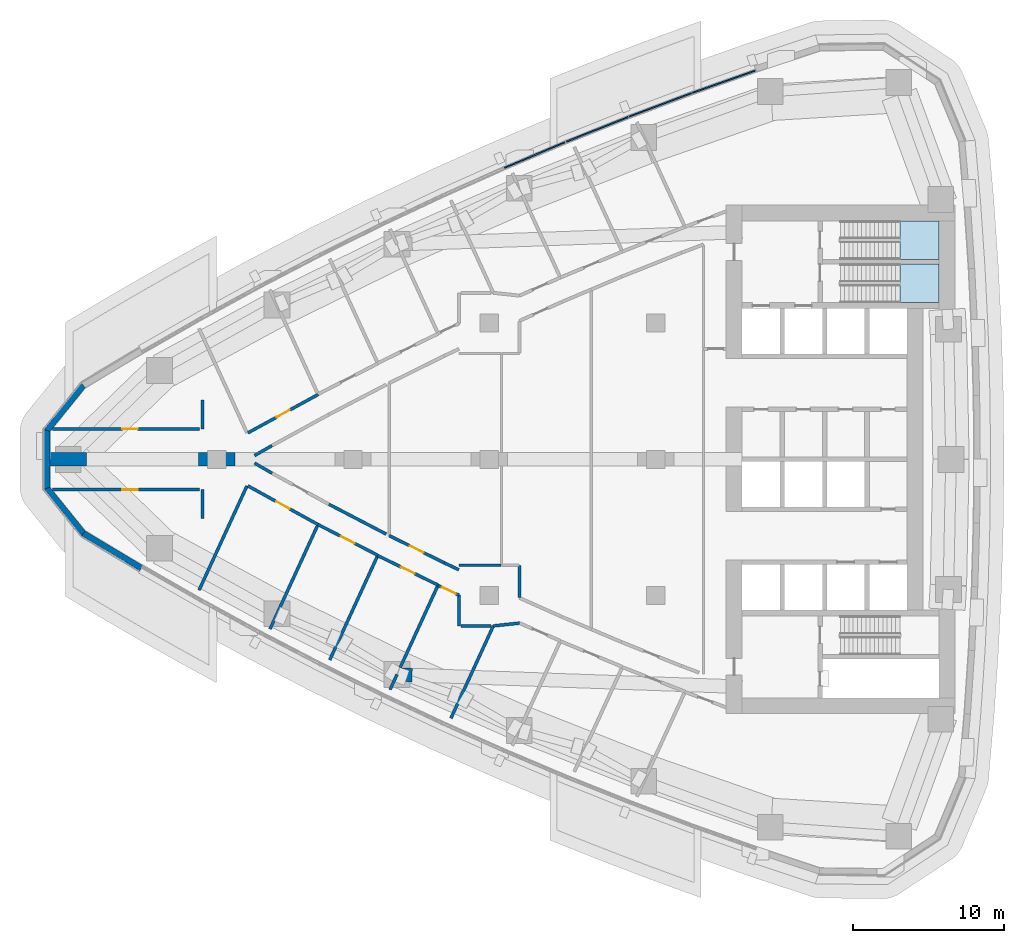
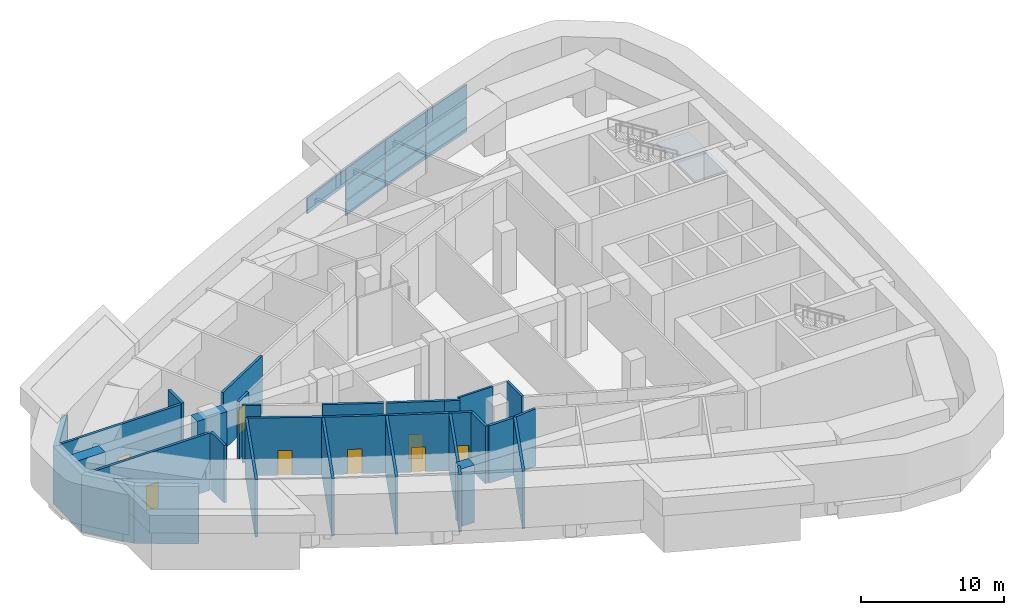
# One storey, part 10 of 19: 32 walls, 10 plates, 8 doors, 2 slabs, 8 openings, 4 elements without a shape of their own.
"""IFC4 building model written with IfcOpenShell, lengths in metres."""

from ifc_helpers import new_model, si_unit, direction, frame, frame_2d, origin, origin_2d, place, context, subcontext, project, spatial, polyline, rectangle, outline, extrude, material, layer, layer_set, type_object, element, fill, aggregate, save


model = new_model("IFC4")

# Units and contexts
model_context = context("Model", 3, precision=1e-05, world=origin(), true_north=direction((0.0, 1.0)))
body_context = subcontext(model_context, "Body", "Model", "MODEL_VIEW")
ifc_project = project(units=[si_unit("LENGTHUNIT", "METRE"), si_unit("AREAUNIT", "SQUARE_METRE"), si_unit("VOLUMEUNIT", "CUBIC_METRE"), si_unit("PLANEANGLEUNIT", "RADIAN"), si_unit("MASSUNIT", "GRAM", prefix="KILO")], contexts=[model_context])

# Site, building, storey
site_placement = place(None, origin())
site = spatial("IfcSite", under=ifc_project, at=site_placement, CompositionType="ELEMENT")
building_placement = place(site_placement, origin())
building = spatial("IfcBuilding", under=site, at=building_placement, Name="Ostrand Prow Hotel Tower", CompositionType="ELEMENT")
storey_placement = place(building_placement, frame((0.0, 0.0, 120.39990234375)))
storey = spatial("IfcBuildingStorey", under=building, at=storey_placement, Name="L29", CompositionType="ELEMENT", Elevation=120.39990234375)

# Curtain wall, plates
ifc_material_1 = material(Name="Insulated glass in bronze anodised frame", Category="glass")
ifc_layer_1 = layer(ifc_material_1, 0.199951171875)
ifc_layer_set_1 = layer_set([ifc_layer_1], Name="Insulated glass in bronze anodised frame")
curtain_wall_type = type_object("IfcCurtainWallType", Name="Plant storey louvre wall", PredefinedType="NOTDEFINED", material=ifc_layer_set_1)
curtain_wall_1_placement = place(storey_placement, origin())
curtain_wall_1 = element("IfcCurtainWall", 1, at=curtain_wall_1_placement, inside=storey, type_object=curtain_wall_type, Name="CW7 run CWN1", PredefinedType="NOTDEFINED")
ifc_material_2 = material(Name="Bronze anodised aluminium louvre", Category="aluminium")
ifc_layer_2 = layer(ifc_material_2, 0.10009765625)
ifc_layer_set_2 = layer_set([ifc_layer_2], Name="Bronze anodised aluminium louvre")
plate_type = type_object("IfcPlateType", Name="Bronze louvre panel 100 mm", PredefinedType="CURTAIN_PANEL", material=ifc_layer_set_2)
plate_1_placement = place(storey_placement, frame((49.49609375, 24.947509765625, 0.89990234375), z_axis=(0.0, 0.0, 1.0), x_axis=(-0.942751551748, -0.333495894542, 0.0)))
plate_1 = element("IfcPlate", 2, at=plate_1_placement, type_object=plate_type, Name="CW7 PN-V panel 1.1", PredefinedType="CURTAIN_PANEL", context=body_context, shape_type="SweptSolid", body=[
    extrude(rectangle(XDim=4.406005859375, YDim=0.10009765625, at=origin_2d()), origin(), (0.0, 0.0, 1.0), 1.239990234375),
])
plate_2_placement = place(storey_placement, frame((49.49609375, 24.947509765625, 2.26025390625), z_axis=(0.0, 0.0, 1.0), x_axis=(-0.942751551748, -0.333495894542, 0.0)))
plate_2 = element("IfcPlate", 3, at=plate_2_placement, type_object=plate_type, Name="CW7 PN-V panel 1.2", PredefinedType="CURTAIN_PANEL", context=body_context, shape_type="SweptSolid", body=[
    extrude(rectangle(XDim=4.406005859375, YDim=0.10009765625, at=origin_2d()), origin(), (0.0, 0.0, 1.0), 1.179931640625),
])
plate_3_placement = place(storey_placement, frame((49.49609375, 24.947509765625, 3.56005859375), z_axis=(0.0, 0.0, 1.0), x_axis=(-0.942751551748, -0.333495894542, 0.0)))
plate_3 = element("IfcPlate", 4, at=plate_3_placement, type_object=plate_type, Name="CW7 PN-V panel 1.3", PredefinedType="CURTAIN_PANEL", context=body_context, shape_type="SweptSolid", body=[
    extrude(rectangle(XDim=4.406005859375, YDim=0.10009765625, at=origin_2d()), origin(), (0.0, 0.0, 1.0), 1.340087890625),
])
plate_4_placement = place(storey_placement, frame((45.301025390625, 23.416015625, 0.89990234375), z_axis=(0.0, 0.0, 1.0), x_axis=(-0.935883792387, -0.35230885193, 0.0)))
plate_4 = element("IfcPlate", 5, at=plate_4_placement, type_object=plate_type, Name="CW7 PN-V panel 2.1", PredefinedType="CURTAIN_PANEL", context=body_context, shape_type="SweptSolid", body=[
    extrude(rectangle(XDim=4.406005859375, YDim=0.10009765625, at=origin_2d()), origin(), (0.0, 0.0, 1.0), 1.239990234375),
])
plate_5_placement = place(storey_placement, frame((45.301025390625, 23.416015625, 2.26025390625), z_axis=(0.0, 0.0, 1.0), x_axis=(-0.935883792387, -0.35230885193, 0.0)))
plate_5 = element("IfcPlate", 6, at=plate_5_placement, type_object=plate_type, Name="CW7 PN-V panel 2.2", PredefinedType="CURTAIN_PANEL", context=body_context, shape_type="SweptSolid", body=[
    extrude(rectangle(XDim=4.406005859375, YDim=0.10009765625, at=origin_2d()), origin(), (0.0, 0.0, 1.0), 1.179931640625),
])
plate_6_placement = place(storey_placement, frame((45.301025390625, 23.416015625, 3.56005859375), z_axis=(0.0, 0.0, 1.0), x_axis=(-0.935883792387, -0.35230885193, 0.0)))
plate_6 = element("IfcPlate", 7, at=plate_6_placement, type_object=plate_type, Name="CW7 PN-V panel 2.3", PredefinedType="CURTAIN_PANEL", context=body_context, shape_type="SweptSolid", body=[
    extrude(rectangle(XDim=4.406005859375, YDim=0.10009765625, at=origin_2d()), origin(), (0.0, 0.0, 1.0), 1.340087890625),
])
aggregate(curtain_wall_1, [plate_1, plate_2, plate_3, plate_4, plate_5, plate_6])

curtain_wall_2_placement = place(storey_placement, origin())
curtain_wall_2 = element("IfcCurtainWall", 8, at=curtain_wall_2_placement, inside=storey, type_object=curtain_wall_type, Name="CW7 run CWN2", PredefinedType="NOTDEFINED")
plate_7_placement = place(storey_placement, frame((41.137451171875, 21.801025390625, 0.89990234375), z_axis=(0.0, 0.0, 1.0), x_axis=(-0.928640008649, -0.370982121315, 0.0)))
plate_7 = element("IfcPlate", 9, at=plate_7_placement, type_object=plate_type, Name="CW7 PN-V panel 1.1", PredefinedType="CURTAIN_PANEL", context=body_context, shape_type="SweptSolid", body=[
    extrude(rectangle(XDim=4.406005859375, YDim=0.10009765625, at=origin_2d()), origin(), (0.0, 0.0, 1.0), 1.239990234375),
])
plate_8_placement = place(storey_placement, frame((41.137451171875, 21.801025390625, 2.26025390625), z_axis=(0.0, 0.0, 1.0), x_axis=(-0.928640008649, -0.370982121315, 0.0)))
plate_8 = element("IfcPlate", 10, at=plate_8_placement, type_object=plate_type, Name="CW7 PN-V panel 1.2", PredefinedType="CURTAIN_PANEL", context=body_context, shape_type="SweptSolid", body=[
    extrude(rectangle(XDim=4.406005859375, YDim=0.10009765625, at=origin_2d()), origin(), (0.0, 0.0, 1.0), 1.179931640625),
])
plate_9_placement = place(storey_placement, frame((41.137451171875, 21.801025390625, 3.56005859375), z_axis=(0.0, 0.0, 1.0), x_axis=(-0.928640008649, -0.370982121315, 0.0)))
plate_9 = element("IfcPlate", 11, at=plate_9_placement, type_object=plate_type, Name="CW7 PN-V panel 1.3", PredefinedType="CURTAIN_PANEL", context=body_context, shape_type="SweptSolid", body=[
    extrude(rectangle(XDim=4.406005859375, YDim=0.10009765625, at=origin_2d()), origin(), (0.0, 0.0, 1.0), 1.340087890625),
])
plate_10_placement = place(storey_placement, frame((37.007080078125, 20.102783203125, 3.56005859375), z_axis=(0.0, 0.0, 1.0), x_axis=(-0.921023688536, -0.389506566255, 0.0)))
plate_10 = element("IfcPlate", 12, at=plate_10_placement, type_object=plate_type, Name="CW7 PN-V panel 2.3", PredefinedType="CURTAIN_PANEL", context=body_context, shape_type="SweptSolid", body=[
    extrude(rectangle(XDim=4.406005859375, YDim=0.10009765625, at=origin_2d()), origin(), (0.0, 0.0, 1.0), 1.340087890625),
])
aggregate(curtain_wall_2, [plate_7, plate_8, plate_9, plate_10])

# Stair, slab
ifc_material_3 = material(Name="Concrete C40/50", Category="concrete")
stair_type = type_object("IfcStairType", Name="Exit stair 1200 upper zone", PredefinedType="HALF_TURN_STAIR", material=ifc_material_3)
stair_1_placement = place(storey_placement, origin())
stair_1 = element("IfcStair", 13, at=stair_1_placement, inside=storey, type_object=stair_type, Name="L29 ST1C", PredefinedType="HALF_TURN_STAIR")
ifc_material_4 = material(Name="Concrete C40/50", Category="concrete")
ifc_layer_3 = layer(ifc_material_4, 0.199951171875)
ifc_layer_set_3 = layer_set([ifc_layer_3], Name="Concrete C40/50")
slab_type = type_object("IfcSlabType", Name="Stair landing 200 concrete", PredefinedType="LANDING", material=ifc_layer_set_3)
slab_1_placement = place(storey_placement, frame((0.0, 0.0, 2.400146484375)))
slab_1 = element("IfcSlab", 14, at=slab_1_placement, type_object=slab_type, Name="ST1C landing 1", PredefinedType="LANDING", context=body_context, shape_type="SweptSolid", body=[
    extrude(outline(polyline([(61.1201171875, 10.35009765625), (63.719970703125, 10.35009765625), (63.719970703125, 12.89990234375), (61.1201171875, 12.89990234375), (61.1201171875, 10.35009765625)])), origin(), (0.0, 0.0, 1.0), 0.199951171875),
])
aggregate(stair_1, [slab_1])

stair_2_placement = place(storey_placement, origin())
stair_2 = element("IfcStair", 15, at=stair_2_placement, inside=storey, type_object=stair_type, Name="L29 ST3C", PredefinedType="HALF_TURN_STAIR")
slab_2_placement = place(storey_placement, frame((0.0, 0.0, 2.400146484375)))
slab_2 = element("IfcSlab", 16, at=slab_2_placement, type_object=slab_type, Name="ST3C landing 1", PredefinedType="LANDING", context=body_context, shape_type="SweptSolid", body=[
    extrude(outline(polyline([(61.1201171875, 13.199951171875), (63.719970703125, 13.199951171875), (63.719970703125, 15.75), (61.1201171875, 15.75), (61.1201171875, 13.199951171875)])), origin(), (0.0, 0.0, 1.0), 0.199951171875),
])
aggregate(stair_2, [slab_2])

# Walls
ifc_material_5 = material(Name="Concrete C80/95", Category="concrete")
ifc_layer_4 = layer(ifc_material_5, 0.89990234375)
ifc_layer_set_4 = layer_set([ifc_layer_4], Name="Concrete C80/95")
wall_type_1 = type_object("IfcWallType", Name="Outrigger wall 900 C80/95", PredefinedType="SHEAR", material=ifc_layer_set_4)
wall_1_placement = place(storey_placement, frame((4.9931640625, 0.0, 0.0), z_axis=(0.0, 0.0, 1.0), x_axis=(1.0, 0.0, 0.0)))
element("IfcWall", 17, at=wall_1_placement, inside=storey, type_object=wall_type_1, Name="Outrigger wall A1", PredefinedType="SHEAR", context=body_context, shape_type="SweptSolid", body=[
    extrude(rectangle(XDim=2.400146484375, YDim=0.89990234375, at=frame_2d((1.2001953125, 0.0))), origin(), (0.0, 0.0, 1.0), 4.900146484375),
])
wall_2_placement = place(storey_placement, frame((14.800048828125, 0.0, 0.0), z_axis=(0.0, 0.0, 1.0), x_axis=(1.0, 0.0, 0.0)))
element("IfcWall", 18, at=wall_2_placement, inside=storey, type_object=wall_type_1, Name="Outrigger wall A2", PredefinedType="SHEAR", context=body_context, shape_type="SweptSolid", body=[
    extrude(rectangle(XDim=2.39990234375, YDim=0.89990234375, at=frame_2d((1.199951171875, 0.0))), origin(), (0.0, 0.0, 1.0), 4.900146484375),
])
wall_3_placement = place(storey_placement, frame((28.906494140625, -14.247802734375, 0.0), z_axis=(0.0, 0.0, 1.0), x_axis=(-0.999364718751, 0.035639288944, 0.0)))
element("IfcWall", 19, at=wall_3_placement, inside=storey, type_object=wall_type_1, Name="Outrigger wall DS2", PredefinedType="SHEAR", context=body_context, shape_type="SweptSolid", body=[
    extrude(rectangle(XDim=1.000244140625, YDim=0.89990234375, at=frame_2d((0.5, 0.0))), origin(), (0.0, 0.0, 1.0), 4.900146484375),
])
ifc_material_6 = material(Name="Plasterboard partition")
ifc_layer_5 = layer(ifc_material_6, 0.14990234375)
ifc_layer_set_5 = layer_set([ifc_layer_5], Name="Plasterboard partition")
wall_type_2 = type_object("IfcWallType", Name="Partition 150 room partition", PredefinedType="PARTITIONING", material=ifc_layer_set_5)
wall_4_placement = place(storey_placement, frame((34.767578125, -6.9951171875, 0.0), z_axis=(0.0, 0.0, 1.0), x_axis=(-1.0, 0.0, 0.0)))
element("IfcWall", 20, at=wall_4_placement, inside=storey, type_object=wall_type_2, Name="ROOM PARTITION", PredefinedType="PARTITIONING", context=body_context, shape_type="SweptSolid", body=[
    extrude(rectangle(XDim=2.76806640625, YDim=0.14990234375, at=frame_2d((1.384033203125, 0.0))), origin(), (0.0, 0.0, 1.0), 4.900146484375),
])

# Wall, opening, door
ifc_material_7 = material(Name="Plasterboard partition")
ifc_layer_6 = layer(ifc_material_7, 0.199951171875)
ifc_layer_set_6 = layer_set([ifc_layer_6], Name="Plasterboard partition")
wall_type_3 = type_object("IfcWallType", Name="Partition 200 corridor wall", PredefinedType="PARTITIONING", material=ifc_layer_set_6)
wall_5_placement = place(storey_placement, frame((5.144775390625, 2.0, 0.0), z_axis=(0.0, 0.0, 1.0), x_axis=(1.0, 0.0, 0.0)))
wall_5 = element("IfcWall", 21, at=wall_5_placement, inside=storey, type_object=wall_type_3, Name="CORRIDOR WALL", PredefinedType="PARTITIONING", context=body_context, shape_type="SweptSolid", body=[
    extrude(rectangle(XDim=9.708984375, YDim=0.199951171875, at=frame_2d((4.8544921875, 0.0))), origin(), (0.0, 0.0, 1.0), 4.900146484375),
])
opening_1_placement = place(wall_5_placement, frame((4.624755859375, 0.0, 0.0)))
opening_1 = element("IfcOpeningElement", 22, at=opening_1_placement, cuts=wall_5, Name="Opening D1", PredefinedType="OPENING", context=body_context, shape_type="SweptSolid", body=[
    extrude(rectangle(XDim=1.0, YDim=2.10009765625, at=frame_2d((0.5, 1.050048828125))), frame((0.0, 0.10986328125, 0.0), z_axis=(0.0, -1.0, 0.0), x_axis=(1.0, 0.0, 0.0)), (0.0, 0.0, 1.0), 0.219970703125),
])
ifc_material_8 = material(Name="Timber door leaf", Category="wood")
door_type_1 = type_object("IfcDoorType", Name="Guest room door 1000", OperationType="SINGLE_SWING_LEFT", PredefinedType="DOOR", material=ifc_material_8)
door_1_placement = place(opening_1_placement, origin())
door_1 = element("IfcDoor", 23, at=door_1_placement, inside=storey, type_object=door_type_1, Name="DOOR", OperationType="SINGLE_SWING_LEFT", OverallHeight=2.10009765625, OverallWidth=1.0, PredefinedType="DOOR", context=body_context, shape_type="SweptSolid", body=[
    extrude(rectangle(XDim=1.0, YDim=2.10009765625, at=frame_2d((0.5, 1.050048828125))), frame((0.0, 0.02490234375, 0.0), z_axis=(0.0, -1.0, 0.0), x_axis=(1.0, 0.0, 0.0)), (0.0, 0.0, 1.0), 0.050048828125),
])
fill(opening_1, door_1)

wall_6_placement = place(storey_placement, frame((5.144775390625, -2.0, 0.0), z_axis=(0.0, 0.0, 1.0), x_axis=(1.0, 0.0, 0.0)))
wall_6 = element("IfcWall", 24, at=wall_6_placement, inside=storey, type_object=wall_type_3, Name="CORRIDOR WALL", PredefinedType="PARTITIONING", context=body_context, shape_type="SweptSolid", body=[
    extrude(rectangle(XDim=9.708984375, YDim=0.199951171875, at=frame_2d((4.8544921875, 0.0))), origin(), (0.0, 0.0, 1.0), 4.900146484375),
])
opening_2_placement = place(wall_6_placement, frame((4.624755859375, 0.0, 0.0)))
opening_2 = element("IfcOpeningElement", 25, at=opening_2_placement, cuts=wall_6, Name="Opening D1R", PredefinedType="OPENING", context=body_context, shape_type="SweptSolid", body=[
    extrude(rectangle(XDim=1.0, YDim=2.10009765625, at=frame_2d((0.5, 1.050048828125))), frame((0.0, 0.10986328125, 0.0), z_axis=(0.0, -1.0, 0.0), x_axis=(1.0, 0.0, 0.0)), (0.0, 0.0, 1.0), 0.219970703125),
])
ifc_material_9 = material(Name="Timber door leaf", Category="wood")
door_type_2 = type_object("IfcDoorType", Name="Guest room door 1000 right", OperationType="SINGLE_SWING_RIGHT", PredefinedType="DOOR", material=ifc_material_9)
door_2_placement = place(opening_2_placement, origin())
door_2 = element("IfcDoor", 26, at=door_2_placement, inside=storey, type_object=door_type_2, Name="DOOR", OperationType="SINGLE_SWING_RIGHT", OverallHeight=2.10009765625, OverallWidth=1.0, PredefinedType="DOOR", context=body_context, shape_type="SweptSolid", body=[
    extrude(rectangle(XDim=1.0, YDim=2.10009765625, at=frame_2d((0.5, 1.050048828125))), frame((0.0, 0.02490234375, 0.0), z_axis=(0.0, -1.0, 0.0), x_axis=(1.0, 0.0, 0.0)), (0.0, 0.0, 1.0), 0.050048828125),
])
fill(opening_2, door_2)

wall_7_placement = place(storey_placement, frame((18.0615234375, 1.75, 0.0), z_axis=(0.0, 0.0, 1.0), x_axis=(0.877494486007, 0.479586725241, 0.0)))
wall_7 = element("IfcWall", 27, at=wall_7_placement, inside=storey, type_object=wall_type_3, Name="CORRIDOR WALL", PredefinedType="PARTITIONING", context=body_context, shape_type="SweptSolid", body=[
    extrude(rectangle(XDim=5.28466796875, YDim=0.199951171875, at=frame_2d((2.642333984375, 0.0))), origin(), (0.0, 0.0, 1.0), 4.900146484375),
])
opening_3_placement = place(wall_7_placement, frame((2.142333984375, 0.0, 0.0)))
opening_3 = element("IfcOpeningElement", 28, at=opening_3_placement, cuts=wall_7, Name="Opening D1", PredefinedType="OPENING", context=body_context, shape_type="SweptSolid", body=[
    extrude(rectangle(XDim=1.0, YDim=2.10009765625, at=frame_2d((0.5, 1.050048828125))), frame((0.0, 0.10986328125, 0.0), z_axis=(0.0, -1.0, 0.0), x_axis=(1.0, 0.0, 0.0)), (0.0, 0.0, 1.0), 0.219970703125),
])
door_3_placement = place(opening_3_placement, origin())
door_3 = element("IfcDoor", 29, at=door_3_placement, inside=storey, type_object=door_type_1, Name="DOOR", OperationType="SINGLE_SWING_LEFT", OverallHeight=2.10009765625, OverallWidth=1.0, PredefinedType="DOOR", context=body_context, shape_type="SweptSolid", body=[
    extrude(rectangle(XDim=1.0, YDim=2.10009765625, at=frame_2d((0.5, 1.050048828125))), frame((0.0, 0.02490234375, 0.0), z_axis=(0.0, -1.0, 0.0), x_axis=(1.0, 0.0, 0.0)), (0.0, 0.0, 1.0), 0.050048828125),
])
fill(opening_3, door_3)

wall_8_placement = place(storey_placement, frame((18.0615234375, -1.75, 0.0), z_axis=(0.0, 0.0, 1.0), x_axis=(0.875688810671, -0.482875871074, 0.0)))
wall_8 = element("IfcWall", 30, at=wall_8_placement, inside=storey, type_object=wall_type_3, Name="CORRIDOR WALL", PredefinedType="PARTITIONING", context=body_context, shape_type="SweptSolid", body=[
    extrude(rectangle(XDim=5.2861328125, YDim=0.199951171875, at=frame_2d((2.64306640625, 0.0))), origin(), (0.0, 0.0, 1.0), 4.900146484375),
])
opening_4_placement = place(wall_8_placement, frame((2.14306640625, 0.0, 0.0)))
opening_4 = element("IfcOpeningElement", 31, at=opening_4_placement, cuts=wall_8, Name="Opening D1", PredefinedType="OPENING", context=body_context, shape_type="SweptSolid", body=[
    extrude(rectangle(XDim=1.0, YDim=2.10009765625, at=frame_2d((0.5, 1.050048828125))), frame((0.0, 0.10986328125, 0.0), z_axis=(0.0, -1.0, 0.0), x_axis=(1.0, 0.0, 0.0)), (0.0, 0.0, 1.0), 0.219970703125),
])
door_4_placement = place(opening_4_placement, origin())
door_4 = element("IfcDoor", 32, at=door_4_placement, inside=storey, type_object=door_type_1, Name="DOOR", OperationType="SINGLE_SWING_LEFT", OverallHeight=2.10009765625, OverallWidth=1.0, PredefinedType="DOOR", context=body_context, shape_type="SweptSolid", body=[
    extrude(rectangle(XDim=1.0, YDim=2.10009765625, at=frame_2d((0.5, 1.050048828125))), frame((0.0, 0.02490234375, 0.0), z_axis=(0.0, -1.0, 0.0), x_axis=(1.0, 0.0, 0.0)), (0.0, 0.0, 1.0), 0.050048828125),
])
fill(opening_4, door_4)

wall_9_placement = place(storey_placement, frame((22.6904296875, -4.302490234375, 0.0), z_axis=(0.0, 0.0, 1.0), x_axis=(0.889236075961, -0.457448577667, 0.0)))
wall_9 = element("IfcWall", 33, at=wall_9_placement, inside=storey, type_object=wall_type_3, Name="CORRIDOR WALL", PredefinedType="PARTITIONING", context=body_context, shape_type="SweptSolid", body=[
    extrude(rectangle(XDim=4.443115234375, YDim=0.199951171875, at=frame_2d((2.2216796875, 0.0))), origin(), (0.0, 0.0, 1.0), 4.900146484375),
])
opening_5_placement = place(wall_9_placement, frame((1.721435546875, 0.0, 0.0)))
opening_5 = element("IfcOpeningElement", 34, at=opening_5_placement, cuts=wall_9, Name="Opening D1R", PredefinedType="OPENING", context=body_context, shape_type="SweptSolid", body=[
    extrude(rectangle(XDim=1.0, YDim=2.10009765625, at=frame_2d((0.5, 1.050048828125))), frame((0.0, 0.10986328125, 0.0), z_axis=(0.0, -1.0, 0.0), x_axis=(1.0, 0.0, 0.0)), (0.0, 0.0, 1.0), 0.219970703125),
])
door_5_placement = place(opening_5_placement, origin())
door_5 = element("IfcDoor", 35, at=door_5_placement, inside=storey, type_object=door_type_2, Name="DOOR", OperationType="SINGLE_SWING_RIGHT", OverallHeight=2.10009765625, OverallWidth=1.0, PredefinedType="DOOR", context=body_context, shape_type="SweptSolid", body=[
    extrude(rectangle(XDim=1.0, YDim=2.10009765625, at=frame_2d((0.5, 1.050048828125))), frame((0.0, 0.02490234375, 0.0), z_axis=(0.0, -1.0, 0.0), x_axis=(1.0, 0.0, 0.0)), (0.0, 0.0, 1.0), 0.050048828125),
])
fill(opening_5, door_5)

wall_10_placement = place(storey_placement, frame((26.6328125, -6.35302734375, 0.0), z_axis=(0.0, 0.0, 1.0), x_axis=(0.898502457097, -0.438968489291, 0.0)))
wall_10 = element("IfcWall", 36, at=wall_10_placement, inside=storey, type_object=wall_type_3, Name="CORRIDOR WALL", PredefinedType="PARTITIONING", context=body_context, shape_type="SweptSolid", body=[
    extrude(rectangle(XDim=4.43994140625, YDim=0.199951171875, at=frame_2d((2.219970703125, 0.0))), origin(), (0.0, 0.0, 1.0), 4.900146484375),
])
opening_6_placement = place(wall_10_placement, frame((1.719970703125, 0.0, 0.0)))
opening_6 = element("IfcOpeningElement", 37, at=opening_6_placement, cuts=wall_10, Name="Opening D1", PredefinedType="OPENING", context=body_context, shape_type="SweptSolid", body=[
    extrude(rectangle(XDim=1.0, YDim=2.10009765625, at=frame_2d((0.5, 1.050048828125))), frame((0.0, 0.10986328125, 0.0), z_axis=(0.0, -1.0, 0.0), x_axis=(1.0, 0.0, 0.0)), (0.0, 0.0, 1.0), 0.219970703125),
])
door_6_placement = place(opening_6_placement, origin())
door_6 = element("IfcDoor", 38, at=door_6_placement, inside=storey, type_object=door_type_1, Name="DOOR", OperationType="SINGLE_SWING_LEFT", OverallHeight=2.10009765625, OverallWidth=1.0, PredefinedType="DOOR", context=body_context, shape_type="SweptSolid", body=[
    extrude(rectangle(XDim=1.0, YDim=2.10009765625, at=frame_2d((0.5, 1.050048828125))), frame((0.0, 0.02490234375, 0.0), z_axis=(0.0, -1.0, 0.0), x_axis=(1.0, 0.0, 0.0)), (0.0, 0.0, 1.0), 0.050048828125),
])
fill(opening_6, door_6)

wall_11_placement = place(storey_placement, frame((30.61376953125, -8.320068359375, 0.0), z_axis=(0.0, 0.0, 1.0), x_axis=(0.904695891996, -0.42605791039, 0.0)))
wall_11 = element("IfcWall", 39, at=wall_11_placement, inside=storey, type_object=wall_type_3, Name="CORRIDOR WALL", PredefinedType="PARTITIONING", context=body_context, shape_type="SweptSolid", body=[
    extrude(rectangle(XDim=1.5322265625, YDim=0.199951171875, at=frame_2d((0.76611328125, 0.0))), origin(), (0.0, 0.0, 1.0), 4.900146484375),
])
opening_7_placement = place(wall_11_placement, frame((0.300048828125, 0.0, 0.0)))
opening_7 = element("IfcOpeningElement", 40, at=opening_7_placement, cuts=wall_11, Name="Opening D1R", PredefinedType="OPENING", context=body_context, shape_type="SweptSolid", body=[
    extrude(rectangle(XDim=1.0, YDim=2.10009765625, at=frame_2d((0.5, 1.050048828125))), frame((0.0, 0.10986328125, 0.0), z_axis=(0.0, -1.0, 0.0), x_axis=(1.0, 0.0, 0.0)), (0.0, 0.0, 1.0), 0.219970703125),
])
door_7_placement = place(opening_7_placement, origin())
door_7 = element("IfcDoor", 41, at=door_7_placement, inside=storey, type_object=door_type_2, Name="DOOR", OperationType="SINGLE_SWING_RIGHT", OverallHeight=2.10009765625, OverallWidth=1.0, PredefinedType="DOOR", context=body_context, shape_type="SweptSolid", body=[
    extrude(rectangle(XDim=1.0, YDim=2.10009765625, at=frame_2d((0.5, 1.050048828125))), frame((0.0, 0.02490234375, 0.0), z_axis=(0.0, -1.0, 0.0), x_axis=(1.0, 0.0, 0.0)), (0.0, 0.0, 1.0), 0.050048828125),
])
fill(opening_7, door_7)

# Walls
wall_12_placement = place(storey_placement, frame((27.1962890625, -4.935791015625, 0.0), z_axis=(0.0, 0.0, 1.0), x_axis=(-0.886899452904, 0.461962509775, 0.0)))
element("IfcWall", 42, at=wall_12_placement, inside=storey, type_object=wall_type_3, Name="CORRIDOR WALL", PredefinedType="PARTITIONING", context=body_context, shape_type="SweptSolid", body=[
    extrude(rectangle(XDim=4.272705078125, YDim=0.199951171875, at=frame_2d((2.13623046875, 0.0))), origin(), (0.0, 0.0, 1.0), 4.900146484375),
])
for number, where, z_axis, x_axis, name in (
    (43, (19.6572265625, -0.912353515625, 0.0), (0.0, 0.0, 1.0), (-0.867735735179, 0.497025848315, 0.0), "CORRIDOR WALL"),
    (44, (18.5, 0.24951171875, 0.0), (0.0, 0.0, 1.0), (0.867735735179, 0.497025848315, 0.0), "CORRIDOR WALL"),
):
    element("IfcWall", number, at=place(storey_placement, frame(where, z_axis=z_axis, x_axis=x_axis)), inside=storey, type_object=wall_type_3, Name=name, PredefinedType="PARTITIONING", context=body_context, shape_type="SweptSolid", body=[
        extrude(rectangle(XDim=1.33349609375, YDim=0.199951171875, at=frame_2d((0.666748046875, 0.0))), origin(), (0.0, 0.0, 1.0), 4.900146484375),
    ])

# Wall, opening, door
wall_13_placement = place(storey_placement, frame((31.02490234375, -6.83349609375, 0.0), z_axis=(0.0, 0.0, 1.0), x_axis=(-0.895964557897, 0.444125557688, 0.0)))
wall_13 = element("IfcWall", 45, at=wall_13_placement, inside=storey, type_object=wall_type_3, Name="CORRIDOR WALL", PredefinedType="PARTITIONING", context=body_context, shape_type="SweptSolid", body=[
    extrude(rectangle(XDim=4.05126953125, YDim=0.199951171875, at=frame_2d((2.025634765625, 0.0))), origin(), (0.0, 0.0, 1.0), 4.900146484375),
])
opening_8_placement = place(wall_13_placement, frame((1.525634765625, 0.0, 0.0)))
opening_8 = element("IfcOpeningElement", 46, at=opening_8_placement, cuts=wall_13, Name="Opening D1", PredefinedType="OPENING", context=body_context, shape_type="SweptSolid", body=[
    extrude(rectangle(XDim=1.0, YDim=2.10009765625, at=frame_2d((0.5, 1.050048828125))), frame((0.0, 0.10986328125, 0.0), z_axis=(0.0, -1.0, 0.0), x_axis=(1.0, 0.0, 0.0)), (0.0, 0.0, 1.0), 0.219970703125),
])
door_8_placement = place(opening_8_placement, origin())
door_8 = element("IfcDoor", 47, at=door_8_placement, inside=storey, type_object=door_type_1, Name="DOOR", OperationType="SINGLE_SWING_LEFT", OverallHeight=2.10009765625, OverallWidth=1.0, PredefinedType="DOOR", context=body_context, shape_type="SweptSolid", body=[
    extrude(rectangle(XDim=1.0, YDim=2.10009765625, at=frame_2d((0.5, 1.050048828125))), frame((0.0, 0.02490234375, 0.0), z_axis=(0.0, -1.0, 0.0), x_axis=(1.0, 0.0, 0.0)), (0.0, 0.0, 1.0), 0.050048828125),
])
fill(opening_8, door_8)

# Walls
wall_14_placement = place(storey_placement, frame((32.0, -7.292724609375, 0.0), z_axis=(0.0, 0.0, 1.0), x_axis=(-0.904690325494, 0.426069730159, 0.0)))
element("IfcWall", 48, at=wall_14_placement, inside=storey, type_object=wall_type_3, Name="CORRIDOR WALL", PredefinedType="PARTITIONING", context=body_context, shape_type="SweptSolid", body=[
    extrude(rectangle(XDim=1.077880859375, YDim=0.199951171875, at=frame_2d((0.5390625, 0.0))), origin(), (0.0, 0.0, 1.0), 4.900146484375),
])
wall_15_placement = place(storey_placement, frame((36.0048828125, -9.110107421875, 0.0), z_axis=(0.0, 0.0, 1.0), x_axis=(-0.000231133705, 0.999999973289, 0.0)))
element("IfcWall", 49, at=wall_15_placement, inside=storey, type_object=wall_type_3, Name="CORRIDOR WALL", PredefinedType="PARTITIONING", context=body_context, shape_type="SweptSolid", body=[
    extrude(rectangle(XDim=2.112548828125, YDim=0.199951171875, at=frame_2d((1.05615234375, 0.0))), origin(), (0.0, 0.0, 1.0), 4.900146484375),
])
wall_16_placement = place(storey_placement, frame((15.0537109375, 3.909912109375, 0.0), z_axis=(0.0, 0.0, 1.0), x_axis=(0.0, -1.0, 0.0)))
element("IfcWall", 50, at=wall_16_placement, inside=storey, type_object=wall_type_3, Name="CORRIDOR WALL", PredefinedType="PARTITIONING", context=body_context, shape_type="SweptSolid", body=[
    extrude(rectangle(XDim=1.905029296875, YDim=0.199951171875, at=frame_2d((0.95263671875, 0.0))), origin(), (0.0, 0.0, 1.0), 4.900146484375),
])
wall_17_placement = place(storey_placement, frame((15.0537109375, -2.0048828125, 0.0), z_axis=(0.0, 0.0, 1.0), x_axis=(0.0, -1.0, 0.0)))
element("IfcWall", 51, at=wall_17_placement, inside=storey, type_object=wall_type_3, Name="CORRIDOR WALL", PredefinedType="PARTITIONING", context=body_context, shape_type="SweptSolid", body=[
    extrude(rectangle(XDim=1.907958984375, YDim=0.199951171875, at=frame_2d((0.9541015625, 0.0))), origin(), (0.0, 0.0, 1.0), 4.900146484375),
])
wall_18_placement = place(storey_placement, frame((32.0, -8.972900390625, 0.0), z_axis=(0.0, 0.0, 1.0), x_axis=(-0.001562685915, -0.999998779006, 0.0)))
element("IfcWall", 52, at=wall_18_placement, inside=storey, type_object=wall_type_3, Name="CORRIDOR WALL", PredefinedType="PARTITIONING", context=body_context, shape_type="SweptSolid", body=[
    extrude(rectangle(XDim=2.031005859375, YDim=0.199951171875, at=frame_2d((1.015625, 0.0))), origin(), (0.0, 0.0, 1.0), 4.900146484375),
])
wall_19_placement = place(storey_placement, frame((34.2705078125, -11.0, 0.0), z_axis=(0.0, 0.0, 1.0), x_axis=(0.99430915392, 0.106533123634, 0.0)))
element("IfcWall", 53, at=wall_19_placement, inside=storey, type_object=wall_type_3, Name="CORRIDOR WALL", PredefinedType="PARTITIONING", context=body_context, shape_type="SweptSolid", body=[
    extrude(rectangle(XDim=1.739501953125, YDim=0.199951171875, at=frame_2d((0.86962890625, 0.0))), origin(), (0.0, 0.0, 1.0), 4.900146484375),
])
ifc_material_10 = material(Name="Plasterboard partition")
ifc_layer_7 = layer(ifc_material_10, 0.199951171875)
ifc_layer_set_7 = layer_set([ifc_layer_7], Name="Plasterboard partition")
wall_type_4 = type_object("IfcWallType", Name="Partition 200 key partition", PredefinedType="PARTITIONING", material=ifc_layer_set_7)
wall_20_placement = place(storey_placement, frame((14.8359375, -8.6376953125, 0.0), z_axis=(0.0, 0.0, 1.0), x_axis=(0.417439791711, 0.908704583622, 0.0)))
element("IfcWall", 54, at=wall_20_placement, inside=storey, type_object=wall_type_4, Name="KEY PARTITION", PredefinedType="PARTITIONING", context=body_context, shape_type="SweptSolid", body=[
    extrude(rectangle(XDim=7.57958984375, YDim=0.199951171875, at=frame_2d((3.789794921875, 0.0))), origin(), (0.0, 0.0, 1.0), 4.900146484375),
])
wall_21_placement = place(storey_placement, frame((19.5224609375, -11.19921875, 0.0), z_axis=(0.0, 0.0, 1.0), x_axis=(0.417413534969, 0.908716644959, 0.0)))
element("IfcWall", 55, at=wall_21_placement, inside=storey, type_object=wall_type_4, Name="KEY PARTITION", PredefinedType="PARTITIONING", context=body_context, shape_type="SweptSolid", body=[
    extrude(rectangle(XDim=7.609375, YDim=0.199951171875, at=frame_2d((3.8046875, 0.0))), origin(), (0.0, 0.0, 1.0), 4.900146484375),
])
wall_22_placement = place(storey_placement, frame((23.46728515625, -13.244140625, 0.0), z_axis=(0.0, 0.0, 1.0), x_axis=(0.417455028008, 0.908697584233, 0.0)))
element("IfcWall", 56, at=wall_22_placement, inside=storey, type_object=wall_type_4, Name="KEY PARTITION", PredefinedType="PARTITIONING", context=body_context, shape_type="SweptSolid", body=[
    extrude(rectangle(XDim=7.603271484375, YDim=0.199951171875, at=frame_2d((3.8017578125, 0.0))), origin(), (0.0, 0.0, 1.0), 4.900146484375),
])
wall_23_placement = place(storey_placement, frame((27.449462890625, -15.20849609375, 0.0), z_axis=(0.0, 0.0, 1.0), x_axis=(0.417306356055, 0.908765869295, 0.0)))
element("IfcWall", 57, at=wall_23_placement, inside=storey, type_object=wall_type_4, Name="KEY PARTITION", PredefinedType="PARTITIONING", context=body_context, shape_type="SweptSolid", body=[
    extrude(rectangle(XDim=1.096435546875, YDim=0.199951171875, at=frame_2d((0.54833984375, 0.0))), origin(), (0.0, 0.0, 1.0), 4.900146484375),
])
wall_24_placement = place(storey_placement, frame((28.110595703125, -13.76904296875, 0.0), z_axis=(0.0, 0.0, 1.0), x_axis=(0.417444024809, 0.908702639014, 0.0)))
element("IfcWall", 58, at=wall_24_placement, inside=storey, type_object=wall_type_4, Name="KEY PARTITION", PredefinedType="PARTITIONING", context=body_context, shape_type="SweptSolid", body=[
    extrude(rectangle(XDim=6.016357421875, YDim=0.199951171875, at=frame_2d((3.00830078125, 0.0))), origin(), (0.0, 0.0, 1.0), 4.900146484375),
])
wall_25_placement = place(storey_placement, frame((31.471435546875, -17.093505859375, 0.0), z_axis=(0.0, 0.0, 1.0), x_axis=(0.417420546123, 0.908713424394, 0.0)))
element("IfcWall", 59, at=wall_25_placement, inside=storey, type_object=wall_type_4, Name="KEY PARTITION", PredefinedType="PARTITIONING", context=body_context, shape_type="SweptSolid", body=[
    extrude(rectangle(XDim=6.70556640625, YDim=0.199951171875, at=frame_2d((3.352783203125, 0.0))), origin(), (0.0, 0.0, 1.0), 4.900146484375),
])
wall_26_placement = place(storey_placement, frame((34.10546875, -11.0, 0.0), z_axis=(0.0, 0.0, 1.0), x_axis=(-1.0, 0.0, 0.0)))
element("IfcWall", 60, at=wall_26_placement, inside=storey, type_object=wall_type_4, Name="KEY PARTITION", PredefinedType="PARTITIONING", context=body_context, shape_type="SweptSolid", body=[
    extrude(rectangle(XDim=1.958740234375, YDim=0.199951171875, at=frame_2d((0.9794921875, 0.0))), origin(), (0.0, 0.0, 1.0), 4.900146484375),
])
ifc_material_11 = material(Name="Precast concrete C40/50", Category="concrete")
ifc_layer_8 = layer(ifc_material_11, 0.39990234375)
ifc_layer_set_8 = layer_set([ifc_layer_8], Name="Precast concrete C40/50")
wall_type_5 = type_object("IfcWallType", Name="Stone-faced precast wall 400 mm", PredefinedType="NOTDEFINED", material=ifc_layer_set_8)
wall_27_placement = place(storey_placement, frame((7.1943359375, 4.8876953125, 0.0), z_axis=(0.0, 0.0, 1.0), x_axis=(-0.62903486133, -0.777377092042, 0.0)))
element("IfcWall", 61, at=wall_27_placement, inside=storey, type_object=wall_type_5, Name="Stone-faced wall prow 2", PredefinedType="NOTDEFINED", context=body_context, shape_type="SweptSolid", body=[
    extrude(outline(polyline([(-0.035400390625, -0.199951171875), (3.897216796875, -0.199951171875), (3.755615234375, 0.199951171875), (0.035400390625, 0.199951171875), (-0.035400390625, -0.199951171875)])), origin(), (0.0, 0.0, 1.0), 4.900146484375),
])
wall_28_placement = place(storey_placement, frame((4.787353515625, 1.9130859375, 0.0), z_axis=(0.0, 0.0, 1.0), x_axis=(0.0, -1.0, 0.0)))
element("IfcWall", 62, at=wall_28_placement, inside=storey, type_object=wall_type_5, Name="Stone-faced wall prow 3", PredefinedType="NOTDEFINED", context=body_context, shape_type="SweptSolid", body=[
    extrude(outline(polyline([(-0.07080078125, -0.199951171875), (3.89697265625, -0.199951171875), (3.75537109375, 0.199951171875), (0.07080078125, 0.199951171875), (-0.07080078125, -0.199951171875)])), origin(), (0.0, 0.0, 1.0), 4.900146484375),
])
wall_29_placement = place(storey_placement, frame((4.787353515625, -1.9130859375, 0.0), z_axis=(0.0, 0.0, 1.0), x_axis=(0.62903486133, -0.777377092042, 0.0)))
element("IfcWall", 63, at=wall_29_placement, inside=storey, type_object=wall_type_5, Name="Stone-faced wall prow 4", PredefinedType="NOTDEFINED", context=body_context, shape_type="SweptSolid", body=[
    extrude(outline(polyline([(-0.07080078125, -0.199951171875), (3.86181640625, -0.199951171875), (3.791015625, 0.199951171875), (0.07080078125, 0.199951171875), (-0.07080078125, -0.199951171875)])), origin(), (0.0, 0.0, 1.0), 4.900146484375),
])
wall_30_placement = place(storey_placement, frame((7.1943359375, -4.8876953125, 0.0), z_axis=(0.0, 0.0, 1.0), x_axis=(0.857550776474, -0.514399325202, 0.0)))
element("IfcWall", 64, at=wall_30_placement, inside=storey, type_object=wall_type_5, Name="Stone-faced wall prow 5", PredefinedType="NOTDEFINED", context=body_context, shape_type="SweptSolid", body=[
    extrude(outline(polyline([(-0.035400390625, -0.199951171875), (4.468017578125, -0.199951171875), (4.468017578125, 0.199951171875), (0.035400390625, 0.199951171875), (-0.035400390625, -0.199951171875)])), origin(), (0.0, 0.0, 1.0), 4.900146484375),
])

save(model, "model.ifc")
